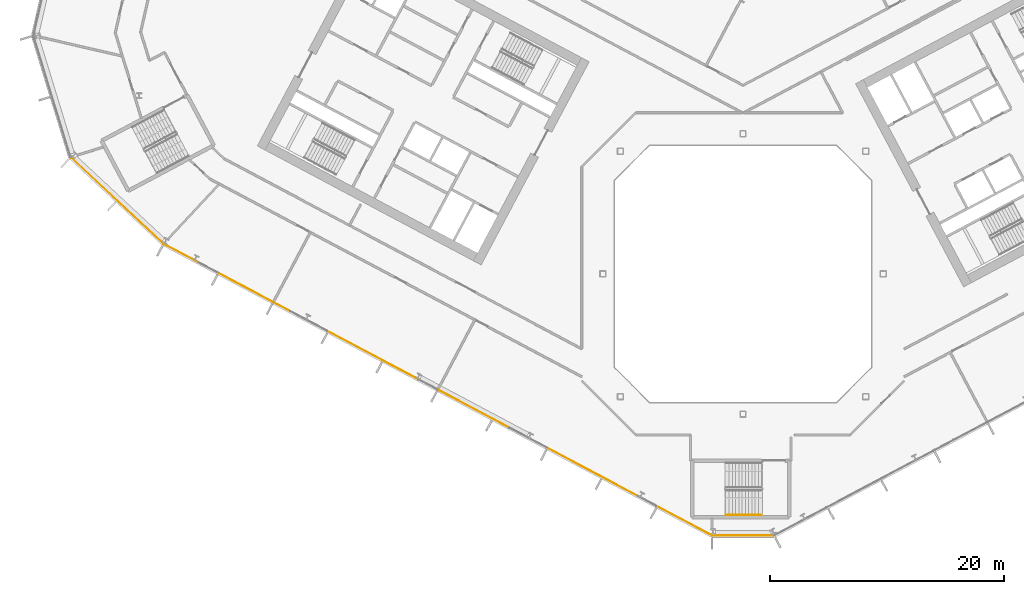
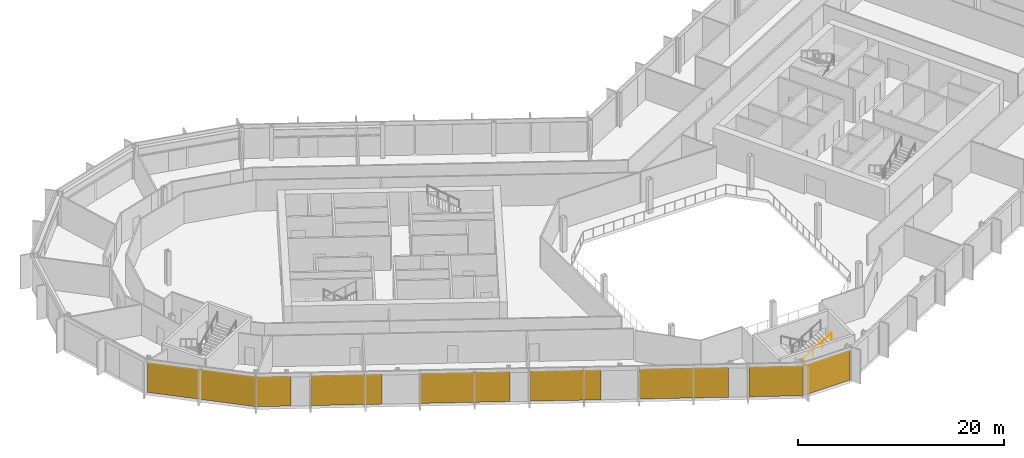
# One storey, part 19 of 28: 8 coverings, 1 railing, 3 elements without a shape of their own.
"""IFC4 building model written with IfcOpenShell, lengths in metres."""

from ifc_helpers import new_model, si_unit, direction, frame, origin, origin_2d, place, context, subcontext, project, spatial, polyline, rectangle, outline, extrude, material, layer, layer_set, type_object, element, aggregate, save


model = new_model("IFC4")

# Units and contexts
model_context = context("Model", 3, precision=1e-05, world=origin(), true_north=direction((0.0, 1.0)))
body_context = subcontext(model_context, "Body", "Model", "MODEL_VIEW")
ifc_project = project(units=[si_unit("LENGTHUNIT", "METRE"), si_unit("AREAUNIT", "SQUARE_METRE"), si_unit("VOLUMEUNIT", "CUBIC_METRE"), si_unit("PLANEANGLEUNIT", "RADIAN"), si_unit("MASSUNIT", "GRAM", prefix="KILO")], contexts=[model_context])

# Site, building, storey
site_placement = place(None, origin())
site = spatial("IfcSite", under=ifc_project, at=site_placement, CompositionType="ELEMENT")
building_placement = place(site_placement, origin())
building = spatial("IfcBuilding", under=site, at=building_placement, Name="Cormorant Relay Tower", CompositionType="ELEMENT")
storey_placement = place(building_placement, frame((0.0, 0.0, 134.199951171875)))
storey = spatial("IfcBuildingStorey", under=building, at=storey_placement, Name="L27", CompositionType="ELEMENT", Elevation=134.199951171875)

# Curtain wall, covering
ifc_material_1 = material(Name="Aluminium 6063-T6 anodised bronze", Category="aluminium")
ifc_layer_1 = layer(ifc_material_1, 0.199951171875)
ifc_layer_set_1 = layer_set([ifc_layer_1], Name="CW1 unitised bronze curtain wall with vertical fins")
curtain_wall_type = type_object("IfcCurtainWallType", Name="CW1 unitised bronze curtain wall with vertical fins", PredefinedType="NOTDEFINED", material=ifc_layer_set_1)
curtain_wall_1_placement = place(storey_placement, origin())
curtain_wall_1 = element("IfcCurtainWall", 1, at=curtain_wall_1_placement, inside=storey, type_object=curtain_wall_type, Name="CW1 curtain wall 1", PredefinedType="NOTDEFINED")
ifc_material_2 = material(Name="Pale bronze anodised aluminium insulated panel", Category="aluminium")
ifc_layer_2 = layer(ifc_material_2, 0.0400390625)
ifc_layer_set_2 = layer_set([ifc_layer_2], Name="CW1 pale bronze insulated panel 40")
covering_type = type_object("IfcCoveringType", Name="CW1 pale bronze insulated panel 40", PredefinedType="CLADDING", material=ifc_layer_set_2)
covering_1_placement = place(storey_placement, frame((0.03759765625, -22.3955078125, 0.0), z_axis=(0.0, 0.0, 1.0), x_axis=(1.0, 0.0, 0.0)))
covering_1 = element("IfcCovering", 2, at=covering_1_placement, type_object=covering_type, Name="CW1 panel S00", PredefinedType="CLADDING", context=body_context, shape_type="SweptSolid", body=[
    extrude(rectangle(XDim=5.22265625, YDim=0.0400390625, at=origin_2d()), origin(), (0.0, 0.0, 1.0), 3.550048828125),
])
aggregate(curtain_wall_1, [covering_1])

curtain_wall_2_placement = place(storey_placement, origin())
curtain_wall_2 = element("IfcCurtainWall", 3, at=curtain_wall_2_placement, inside=storey, type_object=curtain_wall_type, Name="CW1 curtain wall 15", PredefinedType="NOTDEFINED")
covering_2_placement = place(storey_placement, frame((-53.552734375, 6.2509765625, 0.0), z_axis=(0.0, 0.0, 1.0), x_axis=(0.731353701619, -0.681998360062, 0.0)))
covering_2 = element("IfcCovering", 4, at=covering_2_placement, type_object=covering_type, Name="CW1 panel S00", PredefinedType="CLADDING", context=body_context, shape_type="SweptSolid", body=[
    extrude(rectangle(XDim=10.79541015625, YDim=0.0400390625, at=origin_2d()), origin(), (0.0, 0.0, 1.0), 3.550048828125),
])
aggregate(curtain_wall_2, [covering_2])

# Curtain wall, coverings
curtain_wall_3_placement = place(storey_placement, origin())
curtain_wall_3 = element("IfcCurtainWall", 5, at=curtain_wall_3_placement, inside=storey, type_object=curtain_wall_type, Name="CW1 curtain wall 16", PredefinedType="NOTDEFINED")
covering_3_placement = place(storey_placement, frame((-48.048583984375, 1.7412109375, 0.0), z_axis=(0.0, 0.0, 1.0), x_axis=(0.882947592859, -0.469471562786, 0.0)))
covering_3 = element("IfcCovering", 6, at=covering_3_placement, type_object=covering_type, Name="CW1 panel S00", PredefinedType="CLADDING", context=body_context, shape_type="SweptSolid", body=[
    extrude(rectangle(XDim=3.36669921875, YDim=0.0400390625, at=origin_2d()), origin(), (0.0, 0.0, 1.0), 3.550048828125),
])
covering_4_placement = place(storey_placement, frame((-41.8017578125, -1.580322265625, 0.0), z_axis=(0.0, 0.0, 1.0), x_axis=(0.882947592859, -0.469471562786, 0.0)))
covering_4 = element("IfcCovering", 7, at=covering_4_placement, type_object=covering_type, Name="CW1 panel S02", PredefinedType="CLADDING", context=body_context, shape_type="SweptSolid", body=[
    extrude(rectangle(XDim=6.88330078125, YDim=0.0400390625, at=origin_2d()), origin(), (0.0, 0.0, 1.0), 3.550048828125),
])
covering_5_placement = place(storey_placement, frame((-31.618408203125, -6.994873046875, 0.0), z_axis=(0.0, 0.0, 1.0), x_axis=(0.882947592859, -0.469471562786, 0.0)))
covering_5 = element("IfcCovering", 8, at=covering_5_placement, type_object=covering_type, Name="CW1 panel S04", PredefinedType="CLADDING", context=body_context, shape_type="SweptSolid", body=[
    extrude(rectangle(XDim=8.68310546875, YDim=0.0400390625, at=origin_2d()), origin(), (0.0, 0.0, 1.0), 3.550048828125),
])
covering_6_placement = place(storey_placement, frame((-23.024658203125, -11.564208984375, 0.0), z_axis=(0.0, 0.0, 1.0), x_axis=(0.882947592859, -0.469471562786, 0.0)))
covering_6 = element("IfcCovering", 9, at=covering_6_placement, type_object=covering_type, Name="CW1 panel S06", PredefinedType="CLADDING", context=body_context, shape_type="SweptSolid", body=[
    extrude(rectangle(XDim=6.88330078125, YDim=0.0400390625, at=origin_2d()), origin(), (0.0, 0.0, 1.0), 3.550048828125),
])
covering_7_placement = place(storey_placement, frame((-12.84130859375, -16.978759765625, 0.0), z_axis=(0.0, 0.0, 1.0), x_axis=(0.882947592859, -0.469471562786, 0.0)))
covering_7 = element("IfcCovering", 10, at=covering_7_placement, type_object=covering_type, Name="CW1 panel S08", PredefinedType="CLADDING", context=body_context, shape_type="SweptSolid", body=[
    extrude(rectangle(XDim=8.68310546875, YDim=0.0400390625, at=origin_2d()), origin(), (0.0, 0.0, 1.0), 3.550048828125),
])
covering_8_placement = place(storey_placement, frame((-4.972412109375, -21.162841796875, 0.0), z_axis=(0.0, 0.0, 1.0), x_axis=(0.882947592859, -0.469471562786, 0.0)))
covering_8 = element("IfcCovering", 11, at=covering_8_placement, type_object=covering_type, Name="CW1 panel S10", PredefinedType="CLADDING", context=body_context, shape_type="SweptSolid", body=[
    extrude(rectangle(XDim=5.24169921875, YDim=0.0400390625, at=origin_2d()), origin(), (0.0, 0.0, 1.0), 3.550048828125),
])
aggregate(curtain_wall_3, [covering_3, covering_4, covering_5, covering_6, covering_7, covering_8])

# Railing
ifc_material_3 = material(Name="Steel ASTM A572 Grade 50 (Fy 345 MPa)", Category="steel")
railing_type = type_object("IfcRailingType", Name="Stair handrail 900", PredefinedType="HANDRAIL", material=ifc_material_3)
railing_placement = place(storey_placement, frame((-1.47998046875, -20.625, 2.166748046875)))
element("IfcRailing", 12, at=railing_placement, inside=storey, type_object=railing_type, Name="L27 RK1 stair handrail 2", PredefinedType="HANDRAIL", context=body_context, shape_type="SweptSolid", body=[
    extrude(outline(polyline([(0.022216796875, 0.00927734375), (0.00927734375, 0.022216796875), (-0.00927734375, 0.022216796875), (-0.022216796875, 0.00927734375), (-0.022216796875, -0.00927734375), (-0.00927734375, -0.022216796875), (0.00927734375, -0.022216796875), (0.022216796875, -0.00927734375), (0.022216796875, 0.00927734375)])), frame((0.0, 0.0, 0.8759765625), z_axis=(0.859308565015, 0.0, 0.511457515432), x_axis=(0.0, 1.0, 0.0)), (0.0, 0.0, 1.0), 3.58447265625),
    extrude(outline(polyline([(0.019287109375, 0.008056640625), (0.008056640625, 0.019287109375), (-0.008056640625, 0.019287109375), (-0.019287109375, 0.008056640625), (-0.019287109375, -0.008056640625), (-0.008056640625, -0.019287109375), (0.008056640625, -0.019287109375), (0.019287109375, -0.008056640625), (0.019287109375, 0.008056640625)])), origin(), (0.0, 0.0, 1.0), 0.851806640625),
    extrude(outline(polyline([(0.019287109375, 0.008056640625), (0.008056640625, 0.019287109375), (-0.008056640625, 0.019287109375), (-0.019287109375, 0.008056640625), (-0.019287109375, -0.008056640625), (-0.008056640625, -0.019287109375), (0.008056640625, -0.019287109375), (0.019287109375, -0.008056640625), (0.019287109375, 0.008056640625)])), frame((1.026611328125, 0.0, 0.611083984375)), (0.0, 0.0, 1.0), 0.851806640625),
    extrude(outline(polyline([(0.019287109375, 0.008056640625), (0.008056640625, 0.019287109375), (-0.008056640625, 0.019287109375), (-0.019287109375, 0.008056640625), (-0.019287109375, -0.008056640625), (-0.008056640625, -0.019287109375), (0.008056640625, -0.019287109375), (0.019287109375, -0.008056640625), (0.019287109375, 0.008056640625)])), frame((2.053466796875, 0.0, 1.22216796875)), (0.0, 0.0, 1.0), 0.851806640625),
    extrude(outline(polyline([(0.019287109375, 0.008056640625), (0.008056640625, 0.019287109375), (-0.008056640625, 0.019287109375), (-0.019287109375, 0.008056640625), (-0.019287109375, -0.008056640625), (-0.008056640625, -0.019287109375), (0.008056640625, -0.019287109375), (0.019287109375, -0.008056640625), (0.019287109375, 0.008056640625)])), frame((3.080078125, 0.0, 1.833251953125)), (0.0, 0.0, 1.0), 0.851806640625),
])

save(model, "model.ifc")
